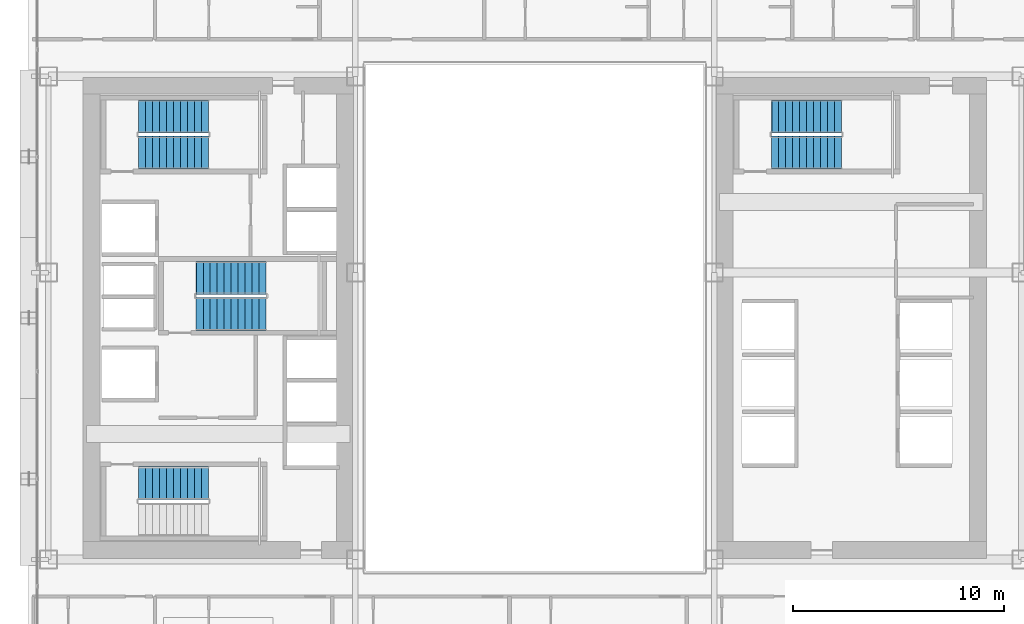
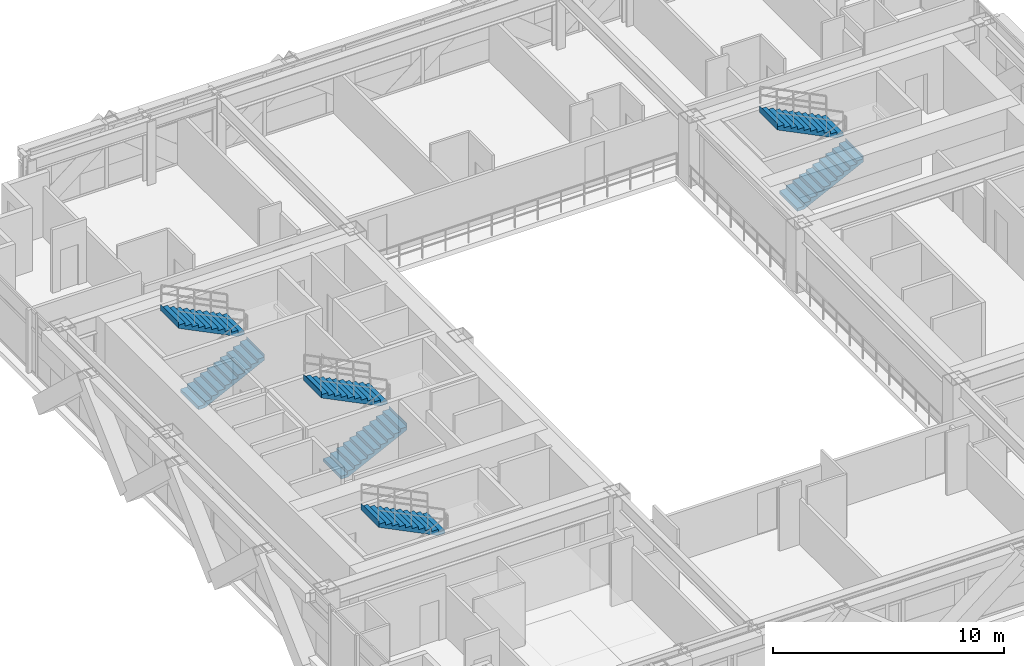
# One storey, part 31 of 35: 7 stair flights, 4 elements without a shape of their own.
"""IFC4 building model written with IfcOpenShell, lengths in metres."""

import ifcopenshell
import ifcopenshell.guid

model = None  # the IFC model being written
_history = None  # IfcOwnerHistory: only IFC2X3 demands one
_inside = {}  # id of a spatial element -> (the spatial element, [elements in it])
_under = {}  # id of a project, library or spatial element -> (it, [spatial elements below it])
_declared = {}  # id of a project -> (the project, [libraries it declares])
_typed = {}  # id of a type object -> (the type object, [elements of that type])
_made_of = {}  # id of a material, layer set ... -> (it, [elements and type objects made of it])


def new_model(schema):
    """Start an empty IFC model of exactly this schema.

    Asked for "IFC4X3", IfcOpenShell would pick the latest addendum, in which some entities
    have other attributes; the version numbers below select the first issue.
    IFC2X3 requires an IfcOwnerHistory on every rooted entity: one is made here for all.
    """
    global model, _history
    if schema == "IFC4X3":
        model = ifcopenshell.file(schema_version=(4, 3, 0, 0))
    else:
        model = ifcopenshell.file(schema=schema)
    _inside.clear()
    _under.clear()
    _declared.clear()
    _typed.clear()
    _made_of.clear()
    _history = None
    if model.schema == "IFC2X3":
        org = make("IfcOrganization", Name="unknown")
        user = make(
            "IfcPersonAndOrganization",
            ThePerson=make("IfcPerson", FamilyName="unknown"),
            TheOrganization=org,
        )
        app = make(
            "IfcApplication",
            ApplicationDeveloper=org,
            Version="unknown",
            ApplicationFullName="unknown",
            ApplicationIdentifier="unknown",
        )
        _history = make(
            "IfcOwnerHistory",
            OwningUser=user,
            OwningApplication=app,
            ChangeAction="ADDED",
            CreationDate=0,
        )
    return model


def make(cls, **values):
    """One entity of the class cls with the attributes given. An attribute that is None is left unset."""
    return model.create_entity(
        cls, **{name: value for name, value in values.items() if value is not None}
    )


def rooted(cls, **values):
    """An entity with a GlobalId (a new one), such as an element, a storey or a relation."""
    return make(cls, GlobalId=ifcopenshell.guid.new(), OwnerHistory=_history, **values)


def si_unit(unit_type, name, prefix=None):
    """IfcSIUnit, for example si_unit("LENGTHUNIT", "METRE", prefix="MILLI")."""
    return make("IfcSIUnit", UnitType=unit_type, Prefix=prefix, Name=name)


def assignment(units):
    """IfcUnitAssignment: the units of a project."""
    return None if units is None else make("IfcUnitAssignment", Units=units)


def point(xyz):
    """IfcCartesianPoint."""
    return None if xyz is None else make("IfcCartesianPoint", Coordinates=xyz)


def direction(xyz):
    """IfcDirection."""
    return None if xyz is None else make("IfcDirection", DirectionRatios=xyz)


def frame(location, z_axis=None, x_axis=None):
    """IfcAxis2Placement3D, a coordinate frame: its origin and axes. An axis left out is left unset."""
    return make(
        "IfcAxis2Placement3D",
        Location=point(location),
        Axis=direction(z_axis),
        RefDirection=direction(x_axis),
    )


def origin():
    """The frame at (0, 0, 0) with its axes left unset."""
    return frame((0.0, 0.0, 0.0))


def place(relative_to, where):
    """IfcLocalPlacement: puts the frame where relative to a parent placement (None: the world)."""
    return make(
        "IfcLocalPlacement", PlacementRelTo=relative_to, RelativePlacement=where
    )


def context(
    kind, dimensions, precision=None, world=None, true_north=None, identifier=None
):
    """IfcGeometricRepresentationContext, for example the 3D "Model" context."""
    return make(
        "IfcGeometricRepresentationContext",
        ContextIdentifier=identifier,
        ContextType=kind,
        CoordinateSpaceDimension=dimensions,
        Precision=precision,
        WorldCoordinateSystem=world,
        TrueNorth=true_north,
    )


def subcontext(parent, identifier, kind, view, scale=None):
    """IfcGeometricRepresentationSubContext, for example "Body" below "Model"."""
    return make(
        "IfcGeometricRepresentationSubContext",
        ContextIdentifier=identifier,
        ContextType=kind,
        ParentContext=parent,
        TargetScale=scale,
        TargetView=view,
    )


def project(units=None, contexts=None):
    """IfcProject with its units and contexts."""
    return rooted(
        "IfcProject",
        Name="project",
        RepresentationContexts=contexts,
        UnitsInContext=assignment(units),
    )


def spatial(cls, under=None, at=None, **own):
    """A site, building, storey or space (cls), placed at a placement, below another one or the project."""
    s = rooted(cls, ObjectPlacement=at, **own)
    if under is not None:
        _under.setdefault(under.id(), (under, []))[1].append(s)
    return s


def polyline(points):
    """IfcPolyline through the points."""
    return make("IfcPolyline", Points=[point(p) for p in points])


def outline(outer, holes=None, kind="AREA"):
    """IfcArbitraryClosedProfileDef: a profile drawn as a closed curve; with holes, ...WithVoids."""
    if holes is None:
        return make("IfcArbitraryClosedProfileDef", ProfileType=kind, OuterCurve=outer)
    return make(
        "IfcArbitraryProfileDefWithVoids",
        ProfileType=kind,
        OuterCurve=outer,
        InnerCurves=holes,
    )


def extrude(swept, where, along, depth):
    """IfcExtrudedAreaSolid: the profile swept, set in the frame where, extruded along a direction by depth."""
    return make(
        "IfcExtrudedAreaSolid",
        SweptArea=swept,
        Position=where,
        ExtrudedDirection=direction(along),
        Depth=depth,
    )


def shape(context_of_items, identifier, shape_type, items):
    """IfcShapeRepresentation: the items that make up one representation, for example the "Body"."""
    return make(
        "IfcShapeRepresentation",
        ContextOfItems=context_of_items,
        RepresentationIdentifier=identifier,
        RepresentationType=shape_type,
        Items=items,
    )


def source(mapping_origin, context_of_items, identifier, shape_type, items):
    """IfcRepresentationMap: a shape defined once, which mapped items show again and again."""
    return make(
        "IfcRepresentationMap",
        MappingOrigin=mapping_origin,
        MappedRepresentation=shape(context_of_items, identifier, shape_type, items),
    )


def transform(
    local_origin,
    x_axis=None,
    y_axis=None,
    z_axis=None,
    scale=None,
    scale2=None,
    scale3=None,
    uniform=True,
):
    """IfcCartesianTransformationOperator3D, or its non-uniform kind. x_axis, y_axis, z_axis: its Axis1, 2, 3."""
    if uniform:
        return make(
            "IfcCartesianTransformationOperator3D",
            Axis1=direction(x_axis),
            Axis2=direction(y_axis),
            LocalOrigin=point(local_origin),
            Scale=scale,
            Axis3=direction(z_axis),
        )
    return make(
        "IfcCartesianTransformationOperator3DnonUniform",
        Axis1=direction(x_axis),
        Axis2=direction(y_axis),
        LocalOrigin=point(local_origin),
        Scale=scale,
        Axis3=direction(z_axis),
        Scale2=scale2,
        Scale3=scale3,
    )


def mapped(mapping_source, mapping_target):
    """IfcMappedItem: shows the shape of a source again, moved by a transform."""
    return make(
        "IfcMappedItem", MappingSource=mapping_source, MappingTarget=mapping_target
    )


def material(Name=None, Category=None):
    """IfcMaterial."""
    return make("IfcMaterial", Name=Name, Category=Category)


def made_of(thing, what):
    """Note that an element or type object is made of a material, layer set ...; save() writes the relation."""
    if what is not None:
        _made_of.setdefault(what.id(), (what, []))[1].append(thing)
    return thing


def type_object(cls, material=None, **own):
    """A type object (cls), such as IfcWallType, which elements share."""
    return made_of(rooted(cls, **own), material)


def element(
    cls,
    number,
    at=None,
    inside=None,
    cuts=None,
    type_object=None,
    material=None,
    context=None,
    identifier="Body",
    shape_type=None,
    held_by="IfcProductDefinitionShape",
    body=None,
    shapes=None,
    **own,
):
    """One element of the class cls, such as IfcWall. Its Tag is "e" and its number.

    at: its placement. inside: the storey or other place that contains it. cuts: it is an
    opening in that element (IfcRelVoidsElement). A single representation is given by context,
    identifier, shape_type and body (its items); several are given by shapes. held_by: the class
    of the entity that holds the representations. save() writes the other relations.
    """
    e = rooted(cls, Tag="e%d" % number, ObjectPlacement=at, **own)
    if body is not None:
        shapes = [shape(context, identifier, shape_type, body)]
    if shapes is not None:
        e.Representation = make(held_by, Representations=shapes)
    if inside is not None:
        _inside.setdefault(inside.id(), (inside, []))[1].append(e)
    if cuts is not None:
        rooted(
            "IfcRelVoidsElement", RelatingBuildingElement=cuts, RelatedOpeningElement=e
        )
    if type_object is not None:
        _typed.setdefault(type_object.id(), (type_object, []))[1].append(e)
    return made_of(e, material)


def aggregate(whole, parts):
    """IfcRelAggregates: a whole, such as a stair, and the parts it consists of."""
    return rooted("IfcRelAggregates", RelatingObject=whole, RelatedObjects=parts)


def save(model, path):
    """Write the relations noted so far, then the file.

    IfcRelAggregates (storeys below a building ...), IfcRelContainedInSpatialStructure (elements
    in a storey), IfcRelDefinesByType, IfcRelAssociatesMaterial and IfcRelDeclares: one each for
    every whole, place, type object, material and project.
    """
    for whole, parts in _under.values():
        aggregate(whole, parts)
    for where, things in _inside.values():
        rooted(
            "IfcRelContainedInSpatialStructure",
            RelatedElements=things,
            RelatingStructure=where,
        )
    for kind, things in _typed.values():
        rooted("IfcRelDefinesByType", RelatedObjects=things, RelatingType=kind)
    for what, things in _made_of.values():
        rooted("IfcRelAssociatesMaterial", RelatedObjects=things, RelatingMaterial=what)
    for by, libraries in _declared.values():
        rooted("IfcRelDeclares", RelatingContext=by, RelatedDefinitions=libraries)
    model.write(path)


model = new_model("IFC4")

# Units and contexts
model_context = context("Model", 3, precision=1e-05, world=origin(), true_north=direction((0.0, 1.0)))
body_context = subcontext(model_context, "Body", "Model", "MODEL_VIEW")
ifc_project = project(units=[si_unit("LENGTHUNIT", "METRE"), si_unit("AREAUNIT", "SQUARE_METRE"), si_unit("VOLUMEUNIT", "CUBIC_METRE"), si_unit("PLANEANGLEUNIT", "RADIAN"), si_unit("MASSUNIT", "GRAM", prefix="KILO")], contexts=[model_context])

# Site, building, storey
site_placement = place(None, origin())
site = spatial("IfcSite", under=ifc_project, at=site_placement, CompositionType="ELEMENT")
building_placement = place(site_placement, origin())
building = spatial("IfcBuilding", under=site, at=building_placement, Name="Ocotamira Hotel", CompositionType="ELEMENT")
storey_placement = place(building_placement, frame((0.0, 0.0, 56.39990234375)))
storey = spatial("IfcBuildingStorey", under=building, at=storey_placement, Name="L13", CompositionType="ELEMENT", Elevation=56.39990234375)

# Stair, stair flight
ifc_material = material(Name="Concrete C40/50", Category="concrete")
stair_type = type_object("IfcStairType", Name="ST-CORE-1560", PredefinedType="HALF_TURN_STAIR", material=ifc_material)
stair_1_placement = place(storey_placement, origin())
stair_1 = element("IfcStair", 1, at=stair_1_placement, inside=storey, type_object=stair_type, Name="L13 Exit Stair ST-1", PredefinedType="HALF_TURN_STAIR")
stair_flight_type = type_object("IfcStairFlightType", Name="STF-CORE-1560", PredefinedType="STRAIGHT", material=ifc_material)
shared_shape = source(origin(), body_context, "Body", "SweptSolid", [
    extrude(outline(polyline([(-0.00390625, 0.0), (-0.00390625, 0.16357421875), (0.330078125, 0.16357421875), (0.330078125, 0.327392578125), (0.659912109375, 0.327392578125), (0.659912109375, 0.490966796875), (0.989990234375, 0.490966796875), (0.989990234375, 0.654541015625), (1.320068359375, 0.654541015625), (1.320068359375, 0.818115234375), (1.64990234375, 0.818115234375), (1.64990234375, 0.98193359375), (1.97998046875, 0.98193359375), (1.97998046875, 1.1455078125), (2.31005859375, 1.1455078125), (2.31005859375, 1.30908203125), (2.639892578125, 1.30908203125), (2.639892578125, 1.47265625), (2.969970703125, 1.47265625), (2.969970703125, 1.636474609375), (3.300048828125, 1.636474609375), (3.300048828125, 1.800048828125), (3.303955078125, 1.800048828125), (3.303955078125, 1.468994140625), (0.33740234375, 0.0), (-0.00390625, 0.0)])), frame((0.0, 0.780029296875, 0.0), z_axis=(0.0, -1.0, 0.0), x_axis=(1.0, 0.0, 0.0)), (0.0, 0.0, 1.0), 1.56005859375),
])
stair_flight_1_placement = place(storey_placement, frame((16.530029296875, 18.169921875, 1.800048828125), z_axis=(0.0, 0.0, 1.0), x_axis=(-1.0, 0.0, 0.0)))
stair_flight_1 = element("IfcStairFlight", 2, at=stair_flight_1_placement, type_object=stair_flight_type, Name="ST-1 flight 2", NumberOfRisers=11, NumberOfTreads=10, PredefinedType="STRAIGHT", RiserHeight=0.163636364, TreadLength=0.33, context=body_context, shape_type="MappedRepresentation", body=[
    mapped(shared_shape, transform((0.0, 0.0, 0.0), scale=1.0)),
])
aggregate(stair_1, [stair_flight_1])

# Stair, stair flights
stair_2_placement = place(storey_placement, origin())
stair_2 = element("IfcStair", 3, at=stair_2_placement, inside=storey, type_object=stair_type, Name="L13 Exit Stair ST-2", PredefinedType="HALF_TURN_STAIR")
stair_flight_2_placement = place(storey_placement, frame((13.22998046875, 33.830078125, 0.0), z_axis=(0.0, 0.0, 1.0), x_axis=(1.0, 0.0, 0.0)))
stair_flight_2 = element("IfcStairFlight", 4, at=stair_flight_2_placement, type_object=stair_flight_type, Name="ST-2 flight 1", NumberOfRisers=11, NumberOfTreads=10, PredefinedType="STRAIGHT", RiserHeight=0.163636364, TreadLength=0.33, context=body_context, shape_type="MappedRepresentation", body=[
    mapped(shared_shape, transform((0.0, 0.0, 0.0), scale=1.0)),
])
stair_flight_3_placement = place(storey_placement, frame((16.530029296875, 35.550048828125, 1.800048828125), z_axis=(0.0, 0.0, 1.0), x_axis=(-1.0, 0.0, 0.0)))
stair_flight_3 = element("IfcStairFlight", 5, at=stair_flight_3_placement, type_object=stair_flight_type, Name="ST-2 flight 2", NumberOfRisers=11, NumberOfTreads=10, PredefinedType="STRAIGHT", RiserHeight=0.163636364, TreadLength=0.33, context=body_context, shape_type="MappedRepresentation", body=[
    mapped(shared_shape, transform((0.0, 0.0, 0.0), scale=1.0)),
])
aggregate(stair_2, [stair_flight_2, stair_flight_3])

stair_3_placement = place(storey_placement, origin())
stair_3 = element("IfcStair", 6, at=stair_3_placement, inside=storey, type_object=stair_type, Name="L13 Exit Stair ST-3", PredefinedType="HALF_TURN_STAIR")
stair_flight_4_placement = place(storey_placement, frame((15.9599609375, 26.179931640625, 0.0), z_axis=(0.0, 0.0, 1.0), x_axis=(1.0, 0.0, 0.0)))
stair_flight_4 = element("IfcStairFlight", 7, at=stair_flight_4_placement, type_object=stair_flight_type, Name="ST-3 flight 1", NumberOfRisers=11, NumberOfTreads=10, PredefinedType="STRAIGHT", RiserHeight=0.163636364, TreadLength=0.33, context=body_context, shape_type="MappedRepresentation", body=[
    mapped(shared_shape, transform((0.0, 0.0, 0.0), scale=1.0)),
])
stair_flight_5_placement = place(storey_placement, frame((19.260009765625, 27.89990234375, 1.800048828125), z_axis=(0.0, 0.0, 1.0), x_axis=(-1.0, 0.0, 0.0)))
stair_flight_5 = element("IfcStairFlight", 8, at=stair_flight_5_placement, type_object=stair_flight_type, Name="ST-3 flight 2", NumberOfRisers=11, NumberOfTreads=10, PredefinedType="STRAIGHT", RiserHeight=0.163636364, TreadLength=0.33, context=body_context, shape_type="MappedRepresentation", body=[
    mapped(shared_shape, transform((0.0, 0.0, 0.0), scale=1.0)),
])
aggregate(stair_3, [stair_flight_4, stair_flight_5])

stair_4_placement = place(storey_placement, origin())
stair_4 = element("IfcStair", 9, at=stair_4_placement, inside=storey, type_object=stair_type, Name="L13 Exit Stair ST-4", PredefinedType="HALF_TURN_STAIR")
stair_flight_6_placement = place(storey_placement, frame((43.22998046875, 33.830078125, 0.0), z_axis=(0.0, 0.0, 1.0), x_axis=(1.0, 0.0, 0.0)))
stair_flight_6 = element("IfcStairFlight", 10, at=stair_flight_6_placement, type_object=stair_flight_type, Name="ST-4 flight 1", NumberOfRisers=11, NumberOfTreads=10, PredefinedType="STRAIGHT", RiserHeight=0.163636364, TreadLength=0.33, context=body_context, shape_type="MappedRepresentation", body=[
    mapped(shared_shape, transform((0.0, 0.0, 0.0), scale=1.0)),
])
stair_flight_7_placement = place(storey_placement, frame((46.530029296875, 35.550048828125, 1.800048828125), z_axis=(0.0, 0.0, 1.0), x_axis=(-1.0, 0.0, 0.0)))
stair_flight_7 = element("IfcStairFlight", 11, at=stair_flight_7_placement, type_object=stair_flight_type, Name="ST-4 flight 2", NumberOfRisers=11, NumberOfTreads=10, PredefinedType="STRAIGHT", RiserHeight=0.163636364, TreadLength=0.33, context=body_context, shape_type="MappedRepresentation", body=[
    mapped(shared_shape, transform((0.0, 0.0, 0.0), scale=1.0)),
])
aggregate(stair_4, [stair_flight_6, stair_flight_7])

save(model, "model.ifc")
